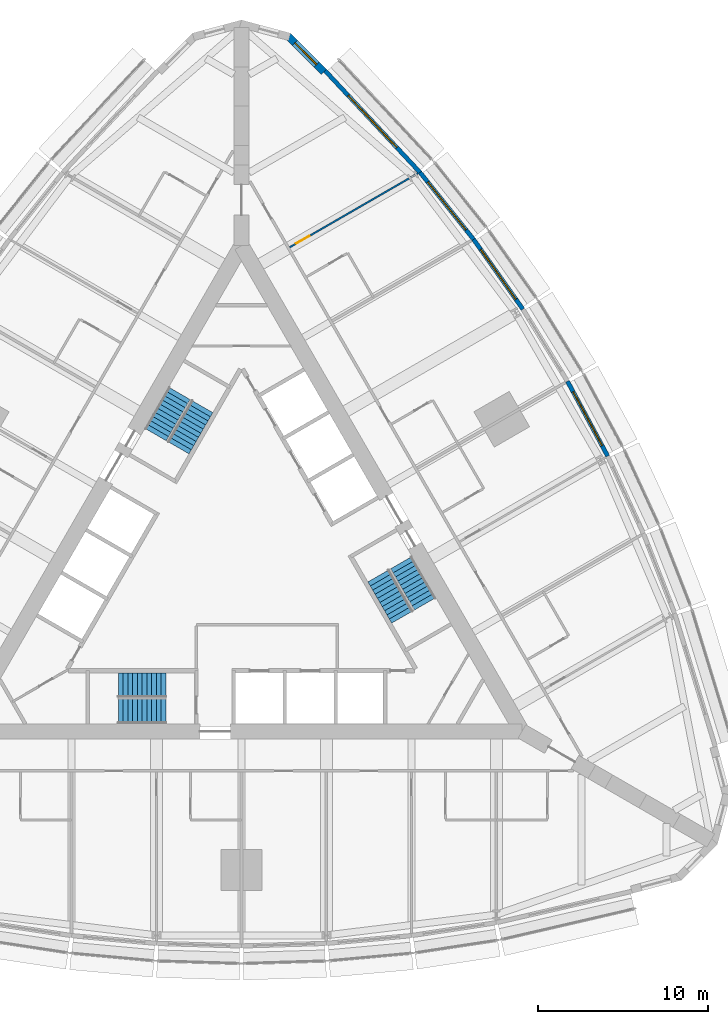
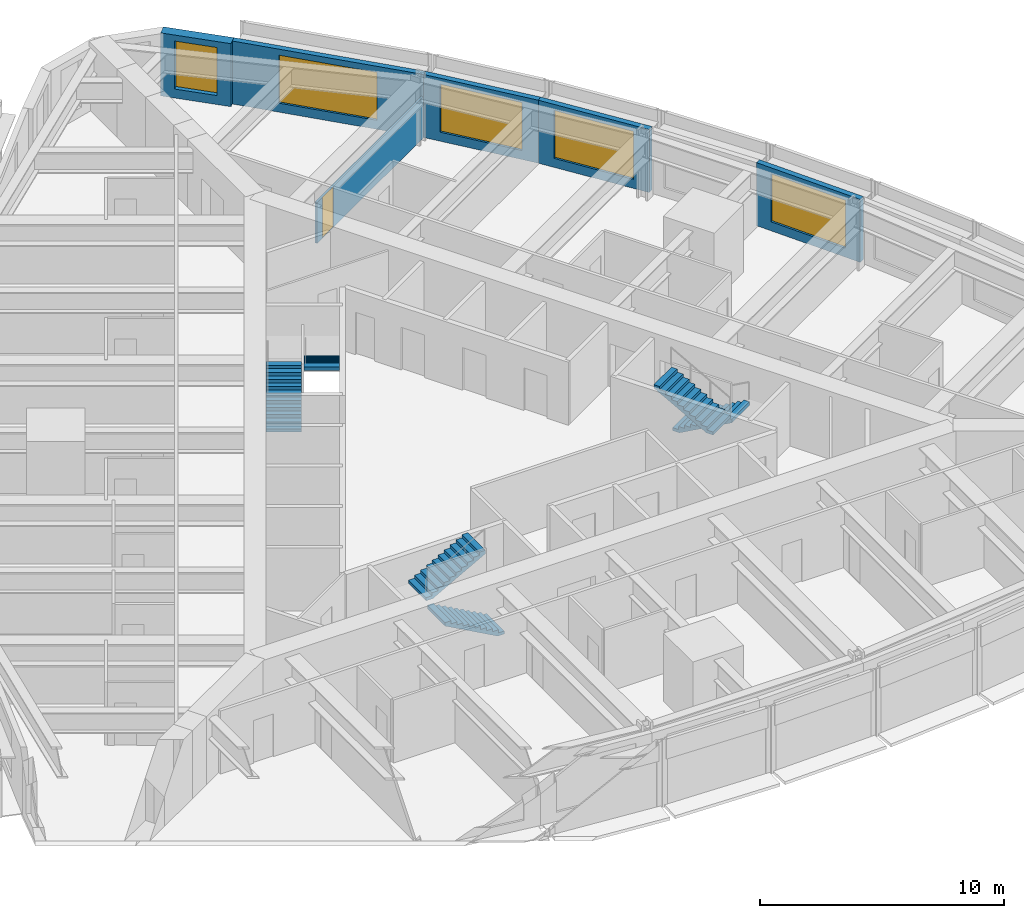
# One storey, part 13 of 14: 6 stair flights, 6 walls, 5 windows, 1 door, 6 openings, 3 elements without a shape of their own.
"""IFC4 building model written with IfcOpenShell, lengths in metres."""

from ifc_helpers import new_model, si_unit, direction, frame, frame_2d, origin, place, context, subcontext, project, spatial, polyline, rectangle, outline, extrude, material, layer, layer_set, type_object, element, fill, aggregate, save


model = new_model("IFC4")

# Units and contexts
model_context = context("Model", 3, precision=1e-05, world=origin(), true_north=direction((0.0, 1.0)))
body_context = subcontext(model_context, "Body", "Model", "MODEL_VIEW")
ifc_project = project(units=[si_unit("LENGTHUNIT", "METRE"), si_unit("AREAUNIT", "SQUARE_METRE"), si_unit("VOLUMEUNIT", "CUBIC_METRE"), si_unit("PLANEANGLEUNIT", "RADIAN"), si_unit("MASSUNIT", "GRAM", prefix="KILO")], contexts=[model_context])

# Site, building, storey
site_placement = place(None, origin())
site = spatial("IfcSite", under=ifc_project, at=site_placement, CompositionType="ELEMENT")
building_placement = place(site_placement, origin())
building = spatial("IfcBuilding", under=site, at=building_placement, Name="Trikona Tower", CompositionType="ELEMENT")
storey_placement = place(building_placement, frame((0.0, 0.0, 99.89990234375)))
storey = spatial("IfcBuildingStorey", under=building, at=storey_placement, Name="L26", CompositionType="ELEMENT", Elevation=99.89990234375)

# Wall, opening, window
ifc_material_1 = material(Name="Brick-faced precast concrete", Category="masonry")
ifc_layer_1 = layer(ifc_material_1, 0.449951171875)
ifc_layer_set_1 = layer_set([ifc_layer_1], Name="Brick-faced corner wall 450")
wall_type_1 = type_object("IfcWallType", Name="Brick-faced corner wall 450", PredefinedType="SOLIDWALL", material=ifc_layer_set_1)
wall_1_placement = place(storey_placement, frame((4.8408203125, 29.285888671875, 0.0), z_axis=(0.0, 0.0, 1.0), x_axis=(-0.707106781187, 0.707106781187, 0.0)))
wall_1 = element("IfcWall", 1, at=wall_1_placement, inside=storey, type_object=wall_type_1, Name="External wall L26-20", PredefinedType="SOLIDWALL", context=body_context, shape_type="SweptSolid", body=[
    extrude(rectangle(XDim=2.98828125, YDim=0.449951171875, at=frame_2d((1.494140625, 0.0))), origin(), (0.0, 0.0, 1.0), 3.150146484375),
])
opening_1_placement = place(wall_1_placement, frame((0.59423828125, 0.0, 0.449951171875)))
opening_1 = element("IfcOpeningElement", 2, at=opening_1_placement, cuts=wall_1, Name="Opening W1824", PredefinedType="OPENING", context=body_context, shape_type="SweptSolid", body=[
    extrude(rectangle(XDim=1.800048828125, YDim=2.39990234375, at=frame_2d((0.89990234375, 1.199951171875))), frame((0.0, 0.23486328125, 0.0), z_axis=(0.0, -1.0, 0.0), x_axis=(1.0, 0.0, 0.0)), (0.0, 0.0, 1.0), 0.469970703125),
])
ifc_material_2 = material(Name="Aluminium-framed double glazing", Category="aluminium")
window_type_1 = type_object("IfcWindowType", Name="Window 1800x2400", PartitioningType="SINGLE_PANEL", PredefinedType="WINDOW", material=ifc_material_2)
window_1_placement = place(opening_1_placement, origin())
window_1 = element("IfcWindow", 3, at=window_1_placement, inside=storey, type_object=window_type_1, Name="Window 2608", OverallHeight=2.39990234375, OverallWidth=1.800048828125, PartitioningType="SINGLE_PANEL", PredefinedType="WINDOW", context=body_context, shape_type="SweptSolid", body=[
    extrude(rectangle(XDim=1.800048828125, YDim=2.39990234375, at=frame_2d((0.89990234375, 1.199951171875))), frame((0.0, 0.030029296875, 0.0), z_axis=(0.0, -1.0, 0.0), x_axis=(1.0, 0.0, 0.0)), (0.0, 0.0, 1.0), 0.06005859375),
])
fill(opening_1, window_1)

ifc_material_3 = material(Name="Insulated precast concrete spandrel panel", Category="concrete")
ifc_layer_2 = layer(ifc_material_3, 0.25)
ifc_layer_set_2 = layer_set([ifc_layer_2], Name="Inner skin wall 250")
wall_type_2 = type_object("IfcWallType", Name="Inner skin wall 250", PredefinedType="STANDARD", material=ifc_layer_set_2)
wall_2_placement = place(storey_placement, frame((21.546630859375, 6.6708984375, 0.0), z_axis=(0.0, 0.0, 1.0), x_axis=(-0.473412820489, 0.880840678782, 0.0)))
wall_2 = element("IfcWall", 4, at=wall_2_placement, inside=storey, type_object=wall_type_2, Name="External wall L26-15", PredefinedType="STANDARD", context=body_context, shape_type="SweptSolid", body=[
    extrude(rectangle(XDim=5.00244140625, YDim=0.25, at=frame_2d((2.501220703125, 0.0))), origin(), (0.0, 0.0, 1.0), 3.150146484375),
])
opening_2_placement = place(wall_2_placement, frame((0.701171875, 0.0, 0.449951171875)))
opening_2 = element("IfcOpeningElement", 5, at=opening_2_placement, cuts=wall_2, Name="Opening W3624", PredefinedType="OPENING", context=body_context, shape_type="SweptSolid", body=[
    extrude(rectangle(XDim=3.60009765625, YDim=2.39990234375, at=frame_2d((1.800048828125, 1.199951171875))), frame((0.0, 0.135009765625, 0.0), z_axis=(0.0, -1.0, 0.0), x_axis=(1.0, 0.0, 0.0)), (0.0, 0.0, 1.0), 0.27001953125),
])
ifc_material_4 = material(Name="Aluminium-framed double glazing", Category="aluminium")
window_type_2 = type_object("IfcWindowType", Name="Window 3600x2400", PartitioningType="SINGLE_PANEL", PredefinedType="WINDOW", material=ifc_material_4)
window_2_placement = place(opening_2_placement, origin())
window_2 = element("IfcWindow", 6, at=window_2_placement, inside=storey, type_object=window_type_2, Name="Window 2606.1", OverallHeight=2.39990234375, OverallWidth=3.60009765625, PartitioningType="SINGLE_PANEL", PredefinedType="WINDOW", context=body_context, shape_type="SweptSolid", body=[
    extrude(rectangle(XDim=3.60009765625, YDim=2.39990234375, at=frame_2d((1.800048828125, 1.199951171875))), frame((0.0, 0.030029296875, 0.0), z_axis=(0.0, -1.0, 0.0), x_axis=(1.0, 0.0, 0.0)), (0.0, 0.0, 1.0), 0.06005859375),
])
fill(opening_2, window_2)

wall_3_placement = place(storey_placement, frame((16.5546875, 15.318115234375, 0.0), z_axis=(0.0, 0.0, 1.0), x_axis=(-0.5766431066, 0.81699616132, 0.0)))
wall_3 = element("IfcWall", 7, at=wall_3_placement, inside=storey, type_object=wall_type_2, Name="External wall L26-17", PredefinedType="STANDARD", context=body_context, shape_type="SweptSolid", body=[
    extrude(rectangle(XDim=5.02099609375, YDim=0.25, at=frame_2d((2.510498046875, 0.0))), origin(), (0.0, 0.0, 1.0), 3.150146484375),
])
opening_3_placement = place(wall_3_placement, frame((0.71044921875, 0.0, 0.449951171875)))
opening_3 = element("IfcOpeningElement", 8, at=opening_3_placement, cuts=wall_3, Name="Opening W3624", PredefinedType="OPENING", context=body_context, shape_type="SweptSolid", body=[
    extrude(rectangle(XDim=3.60009765625, YDim=2.39990234375, at=frame_2d((1.800048828125, 1.199951171875))), frame((0.0, 0.135009765625, 0.0), z_axis=(0.0, -1.0, 0.0), x_axis=(1.0, 0.0, 0.0)), (0.0, 0.0, 1.0), 0.27001953125),
])
window_3_placement = place(opening_3_placement, origin())
window_3 = element("IfcWindow", 9, at=window_3_placement, inside=storey, type_object=window_type_2, Name="Window 2607", OverallHeight=2.39990234375, OverallWidth=3.60009765625, PartitioningType="SINGLE_PANEL", PredefinedType="WINDOW", context=body_context, shape_type="SweptSolid", body=[
    extrude(rectangle(XDim=3.60009765625, YDim=2.39990234375, at=frame_2d((1.800048828125, 1.199951171875))), frame((0.0, 0.030029296875, 0.0), z_axis=(0.0, -1.0, 0.0), x_axis=(1.0, 0.0, 0.0)), (0.0, 0.0, 1.0), 0.06005859375),
])
fill(opening_3, window_3)

wall_4_placement = place(storey_placement, frame((13.663818359375, 19.4140625, 0.0), z_axis=(0.0, 0.0, 1.0), x_axis=(-0.624594965756, 0.780948864364, 0.0)))
wall_4 = element("IfcWall", 10, at=wall_4_placement, inside=storey, type_object=wall_type_2, Name="External wall L26-18", PredefinedType="STANDARD", context=body_context, shape_type="SweptSolid", body=[
    extrude(rectangle(XDim=5.0576171875, YDim=0.25, at=frame_2d((2.52880859375, 0.0))), origin(), (0.0, 0.0, 1.0), 3.150146484375),
])
opening_4_placement = place(wall_4_placement, frame((0.728759765625, 0.0, 0.449951171875)))
opening_4 = element("IfcOpeningElement", 11, at=opening_4_placement, cuts=wall_4, Name="Opening W3624", PredefinedType="OPENING", context=body_context, shape_type="SweptSolid", body=[
    extrude(rectangle(XDim=3.60009765625, YDim=2.39990234375, at=frame_2d((1.800048828125, 1.199951171875))), frame((0.0, 0.135009765625, 0.0), z_axis=(0.0, -1.0, 0.0), x_axis=(1.0, 0.0, 0.0)), (0.0, 0.0, 1.0), 0.27001953125),
])
window_4_placement = place(opening_4_placement, origin())
window_4 = element("IfcWindow", 12, at=window_4_placement, inside=storey, type_object=window_type_2, Name="Window 2608.1", OverallHeight=2.39990234375, OverallWidth=3.60009765625, PartitioningType="SINGLE_PANEL", PredefinedType="WINDOW", context=body_context, shape_type="SweptSolid", body=[
    extrude(rectangle(XDim=3.60009765625, YDim=2.39990234375, at=frame_2d((1.800048828125, 1.199951171875))), frame((0.0, 0.030029296875, 0.0), z_axis=(0.0, -1.0, 0.0), x_axis=(1.0, 0.0, 0.0)), (0.0, 0.0, 1.0), 0.06005859375),
])
fill(opening_4, window_4)

wall_5_placement = place(storey_placement, frame((10.510986328125, 23.356689453125, 0.0), z_axis=(0.0, 0.0, 1.0), x_axis=(-0.682289646561, 0.731081964075, 0.0)))
wall_5 = element("IfcWall", 13, at=wall_5_placement, inside=storey, type_object=wall_type_2, Name="External wall L26-19", PredefinedType="STANDARD", context=body_context, shape_type="SweptSolid", body=[
    extrude(rectangle(XDim=8.2109375, YDim=0.25, at=frame_2d((4.10546875, 0.0))), origin(), (0.0, 0.0, 1.0), 3.150146484375),
])
opening_5_placement = place(wall_5_placement, frame((2.005615234375, 0.0, 0.449951171875)))
opening_5 = element("IfcOpeningElement", 14, at=opening_5_placement, cuts=wall_5, Name="Opening W4224", PredefinedType="OPENING", context=body_context, shape_type="SweptSolid", body=[
    extrude(rectangle(XDim=4.199951171875, YDim=2.39990234375, at=frame_2d((2.10009765625, 1.199951171875))), frame((0.0, 0.135009765625, 0.0), z_axis=(0.0, -1.0, 0.0), x_axis=(1.0, 0.0, 0.0)), (0.0, 0.0, 1.0), 0.27001953125),
])
ifc_material_5 = material(Name="Aluminium-framed double glazing", Category="aluminium")
window_type_3 = type_object("IfcWindowType", Name="Window 4200x2400", PartitioningType="SINGLE_PANEL", PredefinedType="WINDOW", material=ifc_material_5)
window_5_placement = place(opening_5_placement, origin())
window_5 = element("IfcWindow", 15, at=window_5_placement, inside=storey, type_object=window_type_3, Name="Window 2608", OverallHeight=2.39990234375, OverallWidth=4.199951171875, PartitioningType="SINGLE_PANEL", PredefinedType="WINDOW", context=body_context, shape_type="SweptSolid", body=[
    extrude(rectangle(XDim=4.199951171875, YDim=2.39990234375, at=frame_2d((2.10009765625, 1.199951171875))), frame((0.0, 0.030029296875, 0.0), z_axis=(0.0, -1.0, 0.0), x_axis=(1.0, 0.0, 0.0)), (0.0, 0.0, 1.0), 0.06005859375),
])
fill(opening_5, window_5)

# Wall, opening, door
ifc_material_6 = material(Name="Metal stud and gypsum board, acoustic", Category="gypsum")
ifc_layer_3 = layer(ifc_material_6, 0.10009765625)
ifc_layer_set_3 = layer_set([ifc_layer_3], Name="Suite partition 100")
wall_type_3 = type_object("IfcWallType", Name="Suite partition 100", PredefinedType="PARTITIONING", material=ifc_layer_set_3)
wall_6_placement = place(storey_placement, frame((2.82861328125, 18.95361328125, 0.0), z_axis=(0.0, 0.0, 1.0), x_axis=(0.866020536561, 0.500008430184, 0.0)))
wall_6 = element("IfcWall", 16, at=wall_6_placement, inside=storey, type_object=wall_type_3, Name="Suite partition L26 F2 u15", PredefinedType="PARTITIONING", context=body_context, shape_type="SweptSolid", body=[
    extrude(rectangle(XDim=8.719970703125, YDim=0.10009765625, at=frame_2d((4.35986328125, 0.0))), origin(), (0.0, 0.0, 1.0), 2.050048828125),
])
opening_6_placement = place(wall_6_placement, frame((0.449951171875, 0.0, 0.0)))
opening_6 = element("IfcOpeningElement", 17, at=opening_6_placement, cuts=wall_6, Name="Opening D16", PredefinedType="OPENING", context=body_context, shape_type="SweptSolid", body=[
    extrude(rectangle(XDim=0.89990234375, YDim=2.031982421875, at=frame_2d((0.449951171875, 1.01611328125))), frame((0.0, 0.06005859375, 0.0), z_axis=(0.0, -1.0, 0.0), x_axis=(1.0, 0.0, 0.0)), (0.0, 0.0, 1.0), 0.1201171875),
])
ifc_material_7 = material(Name="Steel door frame with solid-core timber leaf", Category="steel")
door_type = type_object("IfcDoorType", Name="Suite door 900x2032", OperationType="SINGLE_SWING_LEFT", PredefinedType="DOOR", material=ifc_material_7)
door_placement = place(opening_6_placement, origin())
door = element("IfcDoor", 18, at=door_placement, inside=storey, type_object=door_type, Name="Suite door 2608", OperationType="SINGLE_SWING_LEFT", OverallHeight=2.031982421875, OverallWidth=0.89990234375, PredefinedType="DOOR", context=body_context, shape_type="SweptSolid", body=[
    extrude(rectangle(XDim=0.89990234375, YDim=2.031982421875, at=frame_2d((0.449951171875, 1.01611328125))), frame((0.0, 0.02490234375, 0.0), z_axis=(0.0, -1.0, 0.0), x_axis=(1.0, 0.0, 0.0)), (0.0, 0.0, 1.0), 0.050048828125),
])
fill(opening_6, door)

# Stair, stair flights
ifc_material_8 = material(Name="Concrete f'c 5000 psi", Category="concrete")
stair_type = type_object("IfcStairType", Name="Core stair", PredefinedType="HALF_TURN_STAIR", material=ifc_material_8)
stair_1_placement = place(storey_placement, origin())
stair_1 = element("IfcStair", 19, at=stair_1_placement, inside=storey, type_object=stair_type, Name="Stair A L26", PredefinedType="HALF_TURN_STAIR")
ifc_material_9 = material(Name="Concrete f'c 5000 psi", Category="concrete")
stair_flight_type = type_object("IfcStairFlightType", Name="Core stair flight 1450", PredefinedType="STRAIGHT", material=ifc_material_9)
stair_flight_1_placement = place(storey_placement, frame((-4.449951171875, -8.351318359375, 0.0), z_axis=(0.0, 0.0, 1.0), x_axis=(-1.0, 0.0, 0.0)))
stair_flight_1 = element("IfcStairFlight", 20, at=stair_flight_1_placement, type_object=stair_flight_type, Name="ST-A flight 1", NumberOfRisers=11, NumberOfTreads=10, PredefinedType="STRAIGHT", RiserHeight=0.154545, TreadLength=0.28, context=body_context, shape_type="SweptSolid", body=[
    extrude(outline(polyline([(0.0, 0.0), (0.0, 0.154541015625), (0.280029296875, 0.154541015625), (0.280029296875, 0.30908203125), (0.56005859375, 0.30908203125), (0.56005859375, 0.463623046875), (0.840087890625, 0.463623046875), (0.840087890625, 0.6181640625), (1.1201171875, 0.6181640625), (1.1201171875, 0.772705078125), (1.39990234375, 0.772705078125), (1.39990234375, 0.92724609375), (1.679931640625, 0.92724609375), (1.679931640625, 1.081787109375), (1.9599609375, 1.081787109375), (1.9599609375, 1.236328125), (2.239990234375, 1.236328125), (2.239990234375, 1.390869140625), (2.52001953125, 1.390869140625), (2.52001953125, 1.54541015625), (2.800048828125, 1.54541015625), (2.800048828125, 1.699951171875), (2.800048828125, 1.374267578125), (0.310302734375, 0.0), (0.0, 0.0)])), frame((0.0, 0.72509765625, 0.0), z_axis=(0.0, -1.0, 0.0), x_axis=(1.0, 0.0, 0.0)), (0.0, 0.0, 1.0), 1.449951171875),
])
stair_flight_2_placement = place(storey_placement, frame((-7.25, -6.80126953125, 1.7001953125), z_axis=(0.0, 0.0, 1.0), x_axis=(1.0, 0.0, 0.0)))
stair_flight_2 = element("IfcStairFlight", 21, at=stair_flight_2_placement, type_object=stair_flight_type, Name="ST-A flight 2", NumberOfRisers=11, NumberOfTreads=10, PredefinedType="STRAIGHT", RiserHeight=0.154545, TreadLength=0.28, context=body_context, shape_type="SweptSolid", body=[
    extrude(outline(polyline([(0.0, 0.0), (0.0, 0.154541015625), (0.280029296875, 0.154541015625), (0.280029296875, 0.30908203125), (0.56005859375, 0.30908203125), (0.56005859375, 0.463623046875), (0.840087890625, 0.463623046875), (0.840087890625, 0.6181640625), (1.1201171875, 0.6181640625), (1.1201171875, 0.772705078125), (1.39990234375, 0.772705078125), (1.39990234375, 0.92724609375), (1.679931640625, 0.92724609375), (1.679931640625, 1.081787109375), (1.9599609375, 1.081787109375), (1.9599609375, 1.236328125), (2.239990234375, 1.236328125), (2.239990234375, 1.390869140625), (2.52001953125, 1.390869140625), (2.52001953125, 1.54541015625), (2.800048828125, 1.54541015625), (2.800048828125, 1.699951171875), (2.800048828125, 1.374267578125), (0.310302734375, 0.0), (0.0, 0.0)])), frame((0.0, 0.72509765625, 0.0), z_axis=(0.0, -1.0, 0.0), x_axis=(1.0, 0.0, 0.0)), (0.0, 0.0, 1.0), 1.449951171875),
])
aggregate(stair_1, [stair_flight_1, stair_flight_2])

stair_2_placement = place(storey_placement, origin())
stair_2 = element("IfcStair", 22, at=stair_2_placement, inside=storey, type_object=stair_type, Name="Stair B L26", PredefinedType="HALF_TURN_STAIR")
stair_flight_3_placement = place(storey_placement, frame((9.407470703125, 0.408447265625, 0.0), z_axis=(0.0, 0.0, 1.0), x_axis=(0.5, -0.866025403784, 0.0)))
stair_flight_3 = element("IfcStairFlight", 23, at=stair_flight_3_placement, type_object=stair_flight_type, Name="ST-B flight 1", NumberOfRisers=11, NumberOfTreads=10, PredefinedType="STRAIGHT", RiserHeight=0.154545, TreadLength=0.28, context=body_context, shape_type="SweptSolid", body=[
    extrude(outline(polyline([(0.0, 0.0), (0.0, 0.154541015625), (0.280029296875, 0.154541015625), (0.280029296875, 0.30908203125), (0.56005859375, 0.30908203125), (0.56005859375, 0.463623046875), (0.840087890625, 0.463623046875), (0.840087890625, 0.6181640625), (1.1201171875, 0.6181640625), (1.1201171875, 0.772705078125), (1.39990234375, 0.772705078125), (1.39990234375, 0.92724609375), (1.679931640625, 0.92724609375), (1.679931640625, 1.081787109375), (1.9599609375, 1.081787109375), (1.9599609375, 1.236328125), (2.239990234375, 1.236328125), (2.239990234375, 1.390869140625), (2.52001953125, 1.390869140625), (2.52001953125, 1.54541015625), (2.800048828125, 1.54541015625), (2.800048828125, 1.699951171875), (2.800048828125, 1.374267578125), (0.310302734375, 0.0), (0.0, 0.0)])), frame((0.0, 0.72509765625, 0.0), z_axis=(0.0, -1.0, 0.0), x_axis=(1.0, 0.0, 0.0)), (0.0, 0.0, 1.0), 1.449951171875),
])
stair_flight_4_placement = place(storey_placement, frame((9.465087890625, -2.79150390625, 1.7001953125), z_axis=(0.0, 0.0, 1.0), x_axis=(-0.5, 0.866025403784, 0.0)))
stair_flight_4 = element("IfcStairFlight", 24, at=stair_flight_4_placement, type_object=stair_flight_type, Name="ST-B flight 2", NumberOfRisers=11, NumberOfTreads=10, PredefinedType="STRAIGHT", RiserHeight=0.154545, TreadLength=0.28, context=body_context, shape_type="SweptSolid", body=[
    extrude(outline(polyline([(0.0, 0.0), (0.0, 0.154541015625), (0.280029296875, 0.154541015625), (0.280029296875, 0.30908203125), (0.56005859375, 0.30908203125), (0.56005859375, 0.463623046875), (0.840087890625, 0.463623046875), (0.840087890625, 0.6181640625), (1.1201171875, 0.6181640625), (1.1201171875, 0.772705078125), (1.39990234375, 0.772705078125), (1.39990234375, 0.92724609375), (1.679931640625, 0.92724609375), (1.679931640625, 1.081787109375), (1.9599609375, 1.081787109375), (1.9599609375, 1.236328125), (2.239990234375, 1.236328125), (2.239990234375, 1.390869140625), (2.52001953125, 1.390869140625), (2.52001953125, 1.54541015625), (2.800048828125, 1.54541015625), (2.800048828125, 1.699951171875), (2.800048828125, 1.374267578125), (0.310302734375, 0.0), (0.0, 0.0)])), frame((0.0, 0.72509765625, 0.0), z_axis=(0.0, -1.0, 0.0), x_axis=(1.0, 0.0, 0.0)), (0.0, 0.0, 1.0), 1.449951171875),
])
aggregate(stair_2, [stair_flight_3, stair_flight_4])

stair_3_placement = place(storey_placement, origin())
stair_3 = element("IfcStair", 25, at=stair_3_placement, inside=storey, type_object=stair_type, Name="Stair C L26", PredefinedType="HALF_TURN_STAIR")
stair_flight_5_placement = place(storey_placement, frame((-5.057373046875, 7.94287109375, 0.0), z_axis=(0.0, 0.0, 1.0), x_axis=(0.5, 0.866025403784, 0.0)))
stair_flight_5 = element("IfcStairFlight", 26, at=stair_flight_5_placement, type_object=stair_flight_type, Name="ST-C flight 1", NumberOfRisers=11, NumberOfTreads=10, PredefinedType="STRAIGHT", RiserHeight=0.154545, TreadLength=0.28, context=body_context, shape_type="SweptSolid", body=[
    extrude(outline(polyline([(0.0, 0.0), (0.0, 0.154541015625), (0.280029296875, 0.154541015625), (0.280029296875, 0.30908203125), (0.56005859375, 0.30908203125), (0.56005859375, 0.463623046875), (0.840087890625, 0.463623046875), (0.840087890625, 0.6181640625), (1.1201171875, 0.6181640625), (1.1201171875, 0.772705078125), (1.39990234375, 0.772705078125), (1.39990234375, 0.92724609375), (1.679931640625, 0.92724609375), (1.679931640625, 1.081787109375), (1.9599609375, 1.081787109375), (1.9599609375, 1.236328125), (2.239990234375, 1.236328125), (2.239990234375, 1.390869140625), (2.52001953125, 1.390869140625), (2.52001953125, 1.54541015625), (2.800048828125, 1.54541015625), (2.800048828125, 1.699951171875), (2.800048828125, 1.374267578125), (0.310302734375, 0.0), (0.0, 0.0)])), frame((0.0, 0.72509765625, 0.0), z_axis=(0.0, -1.0, 0.0), x_axis=(1.0, 0.0, 0.0)), (0.0, 0.0, 1.0), 1.449951171875),
])
stair_flight_6_placement = place(storey_placement, frame((-2.315185546875, 9.5927734375, 1.7001953125), z_axis=(0.0, 0.0, 1.0), x_axis=(-0.5, -0.866025403784, 0.0)))
stair_flight_6 = element("IfcStairFlight", 27, at=stair_flight_6_placement, type_object=stair_flight_type, Name="ST-C flight 2", NumberOfRisers=11, NumberOfTreads=10, PredefinedType="STRAIGHT", RiserHeight=0.154545, TreadLength=0.28, context=body_context, shape_type="SweptSolid", body=[
    extrude(outline(polyline([(0.0, 0.0), (0.0, 0.154541015625), (0.280029296875, 0.154541015625), (0.280029296875, 0.30908203125), (0.56005859375, 0.30908203125), (0.56005859375, 0.463623046875), (0.840087890625, 0.463623046875), (0.840087890625, 0.6181640625), (1.1201171875, 0.6181640625), (1.1201171875, 0.772705078125), (1.39990234375, 0.772705078125), (1.39990234375, 0.92724609375), (1.679931640625, 0.92724609375), (1.679931640625, 1.081787109375), (1.9599609375, 1.081787109375), (1.9599609375, 1.236328125), (2.239990234375, 1.236328125), (2.239990234375, 1.390869140625), (2.52001953125, 1.390869140625), (2.52001953125, 1.54541015625), (2.800048828125, 1.54541015625), (2.800048828125, 1.699951171875), (2.800048828125, 1.374267578125), (0.310302734375, 0.0), (0.0, 0.0)])), frame((0.0, 0.72509765625, 0.0), z_axis=(0.0, -1.0, 0.0), x_axis=(1.0, 0.0, 0.0)), (0.0, 0.0, 1.0), 1.449951171875),
])
aggregate(stair_3, [stair_flight_5, stair_flight_6])

save(model, "model.ifc")
